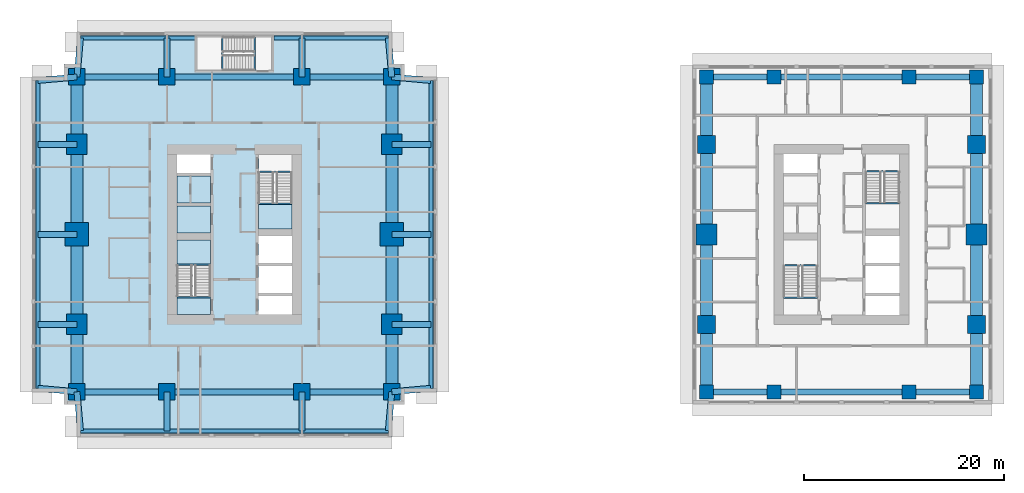
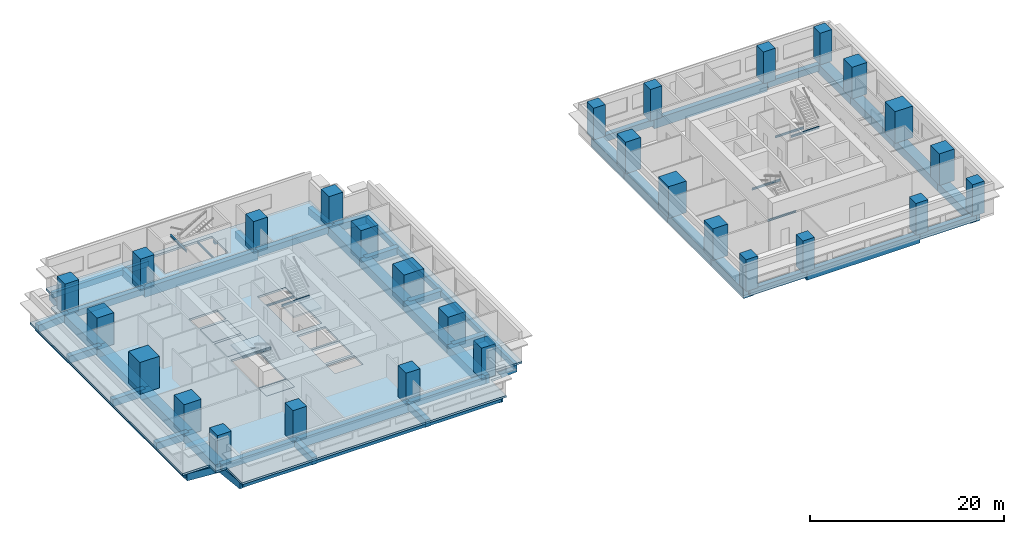
# One storey, part 1 of 11: 61 beams, 28 columns, 6 slabs, 2 elements without a shape of their own.
"""IFC4 building model written with IfcOpenShell, lengths in metres."""

from ifc_helpers import new_model, si_unit, direction, frame, origin, origin_2d, place, context, subcontext, project, spatial, polyline, rectangle, i_section, outline, extrude, material, layer, layer_set, material_profile, profile_set, type_object, element, aggregate, save


model = new_model("IFC4")

# Units and contexts
model_context = context("Model", 3, precision=1e-05, world=origin(), true_north=direction((0.0, 1.0)))
body_context = subcontext(model_context, "Body", "Model", "MODEL_VIEW")
ifc_project = project(units=[si_unit("LENGTHUNIT", "METRE"), si_unit("AREAUNIT", "SQUARE_METRE"), si_unit("VOLUMEUNIT", "CUBIC_METRE"), si_unit("PLANEANGLEUNIT", "RADIAN"), si_unit("MASSUNIT", "GRAM", prefix="KILO")], contexts=[model_context])

# Site, building, storey
site_placement = place(None, origin())
site = spatial("IfcSite", under=ifc_project, at=site_placement, CompositionType="ELEMENT")
building_placement = place(site_placement, origin())
building = spatial("IfcBuilding", under=site, at=building_placement, Name="Namib Vertical Campus", CompositionType="ELEMENT")
storey_placement = place(building_placement, frame((0.0, 0.0, 177.0)))
storey = spatial("IfcBuildingStorey", under=building, at=storey_placement, Name="L41", CompositionType="ELEMENT", Elevation=177.0)

# Columns
ifc_material_1 = material(Name="Concrete C60/75", Category="concrete")
ifc_material_profile_1 = material_profile(ifc_material_1, rectangle(XDim=1.39990234375, YDim=1.39990234375, at=origin_2d()))
ifc_profile_set_1 = profile_set([ifc_material_profile_1], Name="Concrete C60/75")
column_type_1 = type_object("IfcColumnType", Name="Column RC 1400x1400", PredefinedType="COLUMN", material=ifc_profile_set_1)
for number, where, z_axis, x_axis, name in (
    (1, (67.5, 4.5, 0.0), (0.0, 0.0, 1.0), (1.0, 0.0, 0.0), "Column C140 L41"),
    (2, (74.25, 4.5, 0.0), (0.0, 0.0, 1.0), (1.0, 0.0, 0.0), "Column C140 L41"),
    (3, (87.75, 4.5, 0.0), (0.0, 0.0, 1.0), (1.0, 0.0, 0.0), "Column C140 L41"),
    (4, (94.5, 4.5, 0.0), (0.0, 0.0, 1.0), (1.0, 0.0, 0.0), "Column C140 L41"),
    (5, (67.5, 36.0, 0.0), (0.0, 0.0, 1.0), (1.0, 0.0, 0.0), "Column C140 L41"),
    (6, (74.25, 36.0, 0.0), (0.0, 0.0, 1.0), (1.0, 0.0, 0.0), "Column C140 L41"),
    (7, (87.75, 36.0, 0.0), (0.0, 0.0, 1.0), (1.0, 0.0, 0.0), "Column C140 L41"),
    (8, (94.5, 36.0, 0.0), (0.0, 0.0, 1.0), (1.0, 0.0, 0.0), "Column C140 L41"),
):
    element("IfcColumn", number, at=place(storey_placement, frame(where, z_axis=z_axis, x_axis=x_axis)), inside=storey, type_object=column_type_1, Name=name, PredefinedType="COLUMN", context=body_context, shape_type="SweptSolid", body=[
        extrude(rectangle(XDim=1.39990234375, YDim=1.39990234375, at=origin_2d()), origin(), (0.0, 0.0, 1.0), 4.0),
    ])
ifc_material_2 = material(Name="Concrete C60/75", Category="concrete")
ifc_material_profile_2 = material_profile(ifc_material_2, rectangle(XDim=1.64990234375, YDim=1.64990234375, at=origin_2d()))
ifc_profile_set_2 = profile_set([ifc_material_profile_2], Name="Concrete C60/75")
column_type_2 = type_object("IfcColumnType", Name="Column RC 1650x1650", PredefinedType="COLUMN", material=ifc_profile_set_2)
for number, where, z_axis, x_axis, name in (
    (9, (4.5, 4.5, 0.0), (0.0, 0.0, 1.0), (1.0, 0.0, 0.0), "Column C165 L41"),
    (10, (13.5, 4.5, 0.0), (0.0, 0.0, 1.0), (1.0, 0.0, 0.0), "Column C165 L41"),
    (11, (27.0, 4.5, 0.0), (0.0, 0.0, 1.0), (1.0, 0.0, 0.0), "Column C165 L41"),
    (12, (36.0, 4.5, 0.0), (0.0, 0.0, 1.0), (1.0, 0.0, 0.0), "Column C165 L41"),
    (13, (4.5, 36.0, 0.0), (0.0, 0.0, 1.0), (1.0, 0.0, 0.0), "Column C165 L41"),
    (14, (13.5, 36.0, 0.0), (0.0, 0.0, 1.0), (1.0, 0.0, 0.0), "Column C165 L41"),
    (15, (27.0, 36.0, 0.0), (0.0, 0.0, 1.0), (1.0, 0.0, 0.0), "Column C165 L41"),
    (16, (36.0, 36.0, 0.0), (0.0, 0.0, 1.0), (1.0, 0.0, 0.0), "Column C165 L41"),
):
    element("IfcColumn", number, at=place(storey_placement, frame(where, z_axis=z_axis, x_axis=x_axis)), inside=storey, type_object=column_type_2, Name=name, PredefinedType="COLUMN", context=body_context, shape_type="SweptSolid", body=[
        extrude(rectangle(XDim=1.64990234375, YDim=1.64990234375, at=origin_2d()), origin(), (0.0, 0.0, 1.0), 4.0),
    ])
ifc_material_3 = material(Name="Concrete C60/75", Category="concrete")
ifc_material_profile_3 = material_profile(ifc_material_3, rectangle(XDim=1.800048828125, YDim=1.800048828125, at=origin_2d()))
ifc_profile_set_3 = profile_set([ifc_material_profile_3], Name="Concrete C60/75")
column_type_3 = type_object("IfcColumnType", Name="Column RC 1800x1800", PredefinedType="COLUMN", material=ifc_profile_set_3)
for number, where, z_axis, x_axis, name in (
    (17, (67.5, 11.25, 0.0), (0.0, 0.0, 1.0), (1.0, 0.0, 0.0), "Column C180 L41"),
    (18, (94.5, 11.25, 0.0), (0.0, 0.0, 1.0), (1.0, 0.0, 0.0), "Column C180 L41"),
    (19, (67.5, 29.25, 0.0), (0.0, 0.0, 1.0), (1.0, 0.0, 0.0), "Column C180 L41"),
    (20, (94.5, 29.25, 0.0), (0.0, 0.0, 1.0), (1.0, 0.0, 0.0), "Column C180 L41"),
):
    element("IfcColumn", number, at=place(storey_placement, frame(where, z_axis=z_axis, x_axis=x_axis)), inside=storey, type_object=column_type_3, Name=name, PredefinedType="COLUMN", context=body_context, shape_type="SweptSolid", body=[
        extrude(rectangle(XDim=1.800048828125, YDim=1.800048828125, at=origin_2d()), origin(), (0.0, 0.0, 1.0), 4.0),
    ])
ifc_material_4 = material(Name="Concrete C60/75", Category="concrete")
ifc_material_profile_4 = material_profile(ifc_material_4, rectangle(XDim=2.050048828125, YDim=2.050048828125, at=origin_2d()))
ifc_profile_set_4 = profile_set([ifc_material_profile_4], Name="Concrete C60/75")
column_type_4 = type_object("IfcColumnType", Name="Column RC 2050x2050", PredefinedType="COLUMN", material=ifc_profile_set_4)
for number, where, z_axis, x_axis, name in (
    (21, (4.5, 11.25, 0.0), (0.0, 0.0, 1.0), (1.0, 0.0, 0.0), "Column C205 L41"),
    (22, (36.0, 11.25, 0.0), (0.0, 0.0, 1.0), (1.0, 0.0, 0.0), "Column C205 L41"),
    (23, (4.5, 29.25, 0.0), (0.0, 0.0, 1.0), (1.0, 0.0, 0.0), "Column C205 L41"),
    (24, (36.0, 29.25, 0.0), (0.0, 0.0, 1.0), (1.0, 0.0, 0.0), "Column C205 L41"),
):
    element("IfcColumn", number, at=place(storey_placement, frame(where, z_axis=z_axis, x_axis=x_axis)), inside=storey, type_object=column_type_4, Name=name, PredefinedType="COLUMN", context=body_context, shape_type="SweptSolid", body=[
        extrude(rectangle(XDim=2.050048828125, YDim=2.050048828125, at=origin_2d()), origin(), (0.0, 0.0, 1.0), 4.0),
    ])
ifc_material_5 = material(Name="Concrete C60/75", Category="concrete")
ifc_material_profile_5 = material_profile(ifc_material_5, rectangle(XDim=2.10009765625, YDim=2.10009765625, at=origin_2d()))
ifc_profile_set_5 = profile_set([ifc_material_profile_5], Name="Concrete C60/75")
column_type_5 = type_object("IfcColumnType", Name="Column RC 2100x2100", PredefinedType="COLUMN", material=ifc_profile_set_5)
for number, where, z_axis, x_axis, name in (
    (25, (67.5, 20.25, 0.0), (0.0, 0.0, 1.0), (1.0, 0.0, 0.0), "Column C210 L41"),
    (26, (94.5, 20.25, 0.0), (0.0, 0.0, 1.0), (1.0, 0.0, 0.0), "Column C210 L41"),
):
    element("IfcColumn", number, at=place(storey_placement, frame(where, z_axis=z_axis, x_axis=x_axis)), inside=storey, type_object=column_type_5, Name=name, PredefinedType="COLUMN", context=body_context, shape_type="SweptSolid", body=[
        extrude(rectangle(XDim=2.10009765625, YDim=2.10009765625, at=origin_2d()), origin(), (0.0, 0.0, 1.0), 4.0),
    ])
ifc_material_6 = material(Name="Concrete C60/75", Category="concrete")
ifc_material_profile_6 = material_profile(ifc_material_6, rectangle(XDim=2.35009765625, YDim=2.35009765625, at=origin_2d()))
ifc_profile_set_6 = profile_set([ifc_material_profile_6], Name="Concrete C60/75")
column_type_6 = type_object("IfcColumnType", Name="Column RC 2350x2350", PredefinedType="COLUMN", material=ifc_profile_set_6)
for number, where, z_axis, x_axis, name in (
    (27, (4.5, 20.25, 0.0), (0.0, 0.0, 1.0), (1.0, 0.0, 0.0), "Column C235 L41"),
    (28, (36.0, 20.25, 0.0), (0.0, 0.0, 1.0), (1.0, 0.0, 0.0), "Column C235 L41"),
):
    element("IfcColumn", number, at=place(storey_placement, frame(where, z_axis=z_axis, x_axis=x_axis)), inside=storey, type_object=column_type_6, Name=name, PredefinedType="COLUMN", context=body_context, shape_type="SweptSolid", body=[
        extrude(rectangle(XDim=2.35009765625, YDim=2.35009765625, at=origin_2d()), origin(), (0.0, 0.0, 1.0), 4.0),
    ])

# Beams
ifc_material_7 = material(Name="Concrete C40/50", Category="concrete")
ifc_material_profile_7 = material_profile(ifc_material_7, rectangle(XDim=0.60009765625, YDim=0.89990234375, at=origin_2d()))
ifc_profile_set_7 = profile_set([ifc_material_profile_7], Name="Concrete C40/50")
beam_type_1 = type_object("IfcBeamType", Name="Cantilever girder RC 600x900", PredefinedType="BEAM", material=ifc_profile_set_7)
beam_1_placement = place(storey_placement, frame((4.5, 4.5, -0.699951171875), z_axis=(0.089411326146, -0.995994786511, 0.0), x_axis=(0.995994786511, 0.089411326146, 0.0)))
element("IfcBeam", 29, at=beam_1_placement, inside=storey, type_object=beam_type_1, Name="Beam B3 L41", PredefinedType="BEAM", context=body_context, shape_type="SweptSolid", body=[
    extrude(rectangle(XDim=0.60009765625, YDim=0.89990234375, at=origin_2d()), origin(), (0.0, 0.0, 1.0), 3.91552734375),
])
for number, where, z_axis, x_axis, name in (
    (30, (13.5, 4.5, -0.699951171875), (0.0, -1.0, 0.0), (1.0, 0.0, 0.0), "Beam B3 L41"),
    (31, (27.0, 4.5, -0.699951171875), (0.0, -1.0, 0.0), (1.0, 0.0, 0.0), "Beam B3 L41"),
):
    element("IfcBeam", number, at=place(storey_placement, frame(where, z_axis=z_axis, x_axis=x_axis)), inside=storey, type_object=beam_type_1, Name=name, PredefinedType="BEAM", context=body_context, shape_type="SweptSolid", body=[
        extrude(rectangle(XDim=0.60009765625, YDim=0.89990234375, at=origin_2d()), origin(), (0.0, 0.0, 1.0), 3.89990234375),
    ])
for number, where, z_axis, x_axis, name in (
    (32, (36.0, 4.5, -0.699951171875), (-0.089411326146, -0.995994786511, 0.0), (0.995994786511, -0.089411326146, 0.0), "Beam B3 L41"),
    (33, (4.5, 36.0, -0.699951171875), (0.089411326146, 0.995994786511, 0.0), (-0.995994786511, 0.089411326146, 0.0), "Beam B3 L41"),
):
    element("IfcBeam", number, at=place(storey_placement, frame(where, z_axis=z_axis, x_axis=x_axis)), inside=storey, type_object=beam_type_1, Name=name, PredefinedType="BEAM", context=body_context, shape_type="SweptSolid", body=[
        extrude(rectangle(XDim=0.60009765625, YDim=0.89990234375, at=origin_2d()), origin(), (0.0, 0.0, 1.0), 3.91552734375),
    ])
for number, where, z_axis, x_axis, name in (
    (34, (13.5, 36.0, -0.699951171875), (0.0, 1.0, 0.0), (-1.0, 0.0, 0.0), "Beam B3 L41"),
    (35, (27.0, 36.0, -0.699951171875), (0.0, 1.0, 0.0), (-1.0, 0.0, 0.0), "Beam B3 L41"),
):
    element("IfcBeam", number, at=place(storey_placement, frame(where, z_axis=z_axis, x_axis=x_axis)), inside=storey, type_object=beam_type_1, Name=name, PredefinedType="BEAM", context=body_context, shape_type="SweptSolid", body=[
        extrude(rectangle(XDim=0.60009765625, YDim=0.89990234375, at=origin_2d()), origin(), (0.0, 0.0, 1.0), 3.89990234375),
    ])
for number, where, z_axis, x_axis, name in (
    (36, (36.0, 36.0, -0.699951171875), (-0.089411326146, 0.995994786511, 0.0), (-0.995994786511, -0.089411326146, 0.0), "Beam B3 L41"),
    (37, (4.5, 4.5, -0.699951171875), (-0.995994786511, 0.089411326146, 0.0), (-0.089411326146, -0.995994786511, 0.0), "Beam B3 L41"),
):
    element("IfcBeam", number, at=place(storey_placement, frame(where, z_axis=z_axis, x_axis=x_axis)), inside=storey, type_object=beam_type_1, Name=name, PredefinedType="BEAM", context=body_context, shape_type="SweptSolid", body=[
        extrude(rectangle(XDim=0.60009765625, YDim=0.89990234375, at=origin_2d()), origin(), (0.0, 0.0, 1.0), 3.91552734375),
    ])
for number, where, z_axis, x_axis, name in (
    (38, (4.5, 11.25, -0.699951171875), (-1.0, 0.0, 0.0), (0.0, -1.0, 0.0), "Beam B3 L41"),
    (39, (4.5, 20.25, -0.699951171875), (-1.0, 0.0, 0.0), (0.0, -1.0, 0.0), "Beam B3 L41"),
    (40, (4.5, 29.25, -0.699951171875), (-1.0, 0.0, 0.0), (0.0, -1.0, 0.0), "Beam B3 L41"),
):
    element("IfcBeam", number, at=place(storey_placement, frame(where, z_axis=z_axis, x_axis=x_axis)), inside=storey, type_object=beam_type_1, Name=name, PredefinedType="BEAM", context=body_context, shape_type="SweptSolid", body=[
        extrude(rectangle(XDim=0.60009765625, YDim=0.89990234375, at=origin_2d()), origin(), (0.0, 0.0, 1.0), 3.89990234375),
    ])
for number, where, z_axis, x_axis, name in (
    (41, (4.5, 36.0, -0.699951171875), (-0.995994786511, -0.089411326146, 0.0), (0.089411326146, -0.995994786511, 0.0), "Beam B3 L41"),
    (42, (36.0, 4.5, -0.699951171875), (0.995994786511, 0.089411326146, 0.0), (-0.089411326146, 0.995994786511, 0.0), "Beam B3 L41"),
):
    element("IfcBeam", number, at=place(storey_placement, frame(where, z_axis=z_axis, x_axis=x_axis)), inside=storey, type_object=beam_type_1, Name=name, PredefinedType="BEAM", context=body_context, shape_type="SweptSolid", body=[
        extrude(rectangle(XDim=0.60009765625, YDim=0.89990234375, at=origin_2d()), origin(), (0.0, 0.0, 1.0), 3.91552734375),
    ])
for number, where, z_axis, x_axis, name in (
    (43, (36.0, 11.25, -0.699951171875), (1.0, 0.0, 0.0), (0.0, 1.0, 0.0), "Beam B3 L41"),
    (44, (36.0, 20.25, -0.699951171875), (1.0, 0.0, 0.0), (0.0, 1.0, 0.0), "Beam B3 L41"),
    (45, (36.0, 29.25, -0.699951171875), (1.0, 0.0, 0.0), (0.0, 1.0, 0.0), "Beam B3 L41"),
):
    element("IfcBeam", number, at=place(storey_placement, frame(where, z_axis=z_axis, x_axis=x_axis)), inside=storey, type_object=beam_type_1, Name=name, PredefinedType="BEAM", context=body_context, shape_type="SweptSolid", body=[
        extrude(rectangle(XDim=0.60009765625, YDim=0.89990234375, at=origin_2d()), origin(), (0.0, 0.0, 1.0), 3.89990234375),
    ])
beam_2_placement = place(storey_placement, frame((36.0, 36.0, -0.699951171875), z_axis=(0.995994786511, -0.089411326146, 0.0), x_axis=(0.089411326146, 0.995994786511, 0.0)))
element("IfcBeam", 46, at=beam_2_placement, inside=storey, type_object=beam_type_1, Name="Beam B3 L41", PredefinedType="BEAM", context=body_context, shape_type="SweptSolid", body=[
    extrude(rectangle(XDim=0.60009765625, YDim=0.89990234375, at=origin_2d()), origin(), (0.0, 0.0, 1.0), 3.91552734375),
])
ifc_material_8 = material(Name="Concrete C40/50", Category="concrete")
ifc_material_profile_8 = material_profile(ifc_material_8, rectangle(XDim=0.39990234375, YDim=0.699951171875, at=origin_2d()))
ifc_profile_set_8 = profile_set([ifc_material_profile_8], Name="Concrete C40/50")
beam_type_2 = type_object("IfcBeamType", Name="Edge beam RC 400x700", PredefinedType="SPANDREL", material=ifc_profile_set_8)
beam_3_placement = place(storey_placement, frame((4.85009765625, 0.60009765625, -0.60009765625), z_axis=(1.0, 0.0, 0.0), x_axis=(0.0, 1.0, 0.0)))
element("IfcBeam", 47, at=beam_3_placement, inside=storey, type_object=beam_type_2, Name="Beam B4 L41", PredefinedType="SPANDREL", context=body_context, shape_type="SweptSolid", body=[
    extrude(rectangle(XDim=0.39990234375, YDim=0.699951171875, at=origin_2d()), origin(), (0.0, 0.0, 1.0), 30.7998046875),
])
for number, where, z_axis, x_axis, name in (
    (48, (4.85009765625, 39.89990234375, -0.60009765625), (1.0, 0.0, 0.0), (0.0, 1.0, 0.0), "Beam B4 L41"),
    (49, (24.199951171875, 39.89990234375, -0.60009765625), (1.0, 0.0, 0.0), (0.0, 1.0, 0.0), "Beam B4 L41"),
):
    element("IfcBeam", number, at=place(storey_placement, frame(where, z_axis=z_axis, x_axis=x_axis)), inside=storey, type_object=beam_type_2, Name=name, PredefinedType="SPANDREL", context=body_context, shape_type="SweptSolid", body=[
        extrude(rectangle(XDim=0.39990234375, YDim=0.699951171875, at=origin_2d()), origin(), (0.0, 0.0, 1.0), 11.449951171875),
    ])
for number, where, z_axis, x_axis, name in (
    (50, (0.60009765625, 4.85009765625, -0.60009765625), (0.0, 1.0, 0.0), (-1.0, 0.0, 0.0), "Beam B4 L41"),
    (51, (39.89990234375, 4.85009765625, -0.60009765625), (0.0, 1.0, 0.0), (-1.0, 0.0, 0.0), "Beam B4 L41"),
):
    element("IfcBeam", number, at=place(storey_placement, frame(where, z_axis=z_axis, x_axis=x_axis)), inside=storey, type_object=beam_type_2, Name=name, PredefinedType="SPANDREL", context=body_context, shape_type="SweptSolid", body=[
        extrude(rectangle(XDim=0.39990234375, YDim=0.699951171875, at=origin_2d()), origin(), (0.0, 0.0, 1.0), 30.7998046875),
    ])
ifc_material_9 = material(Name="Concrete C40/50", Category="concrete")
ifc_material_profile_9 = material_profile(ifc_material_9, rectangle(XDim=1.199951171875, YDim=1.10009765625, at=origin_2d()))
ifc_profile_set_9 = profile_set([ifc_material_profile_9], Name="Concrete C40/50")
beam_type_3 = type_object("IfcBeamType", Name="Face ring beam RC 1200x1100", PredefinedType="BEAM", material=ifc_profile_set_9)
beam_4_placement = place(storey_placement, frame((4.5, 4.5, -0.800048828125), z_axis=(0.0, 1.0, 0.0), x_axis=(-1.0, 0.0, 0.0)))
element("IfcBeam", 52, at=beam_4_placement, inside=storey, type_object=beam_type_3, Name="Beam B11 L41", PredefinedType="BEAM", context=body_context, shape_type="SweptSolid", body=[
    extrude(rectangle(XDim=1.199951171875, YDim=1.10009765625, at=origin_2d()), origin(), (0.0, 0.0, 1.0), 6.75),
])
for number, where, z_axis, x_axis, name in (
    (53, (4.5, 11.25, -0.800048828125), (0.0, 1.0, 0.0), (-1.0, 0.0, 0.0), "Beam B11 L41"),
    (54, (4.5, 20.25, -0.800048828125), (0.0, 1.0, 0.0), (-1.0, 0.0, 0.0), "Beam B11 L41"),
):
    element("IfcBeam", number, at=place(storey_placement, frame(where, z_axis=z_axis, x_axis=x_axis)), inside=storey, type_object=beam_type_3, Name=name, PredefinedType="BEAM", context=body_context, shape_type="SweptSolid", body=[
        extrude(rectangle(XDim=1.199951171875, YDim=1.10009765625, at=origin_2d()), origin(), (0.0, 0.0, 1.0), 9.0),
    ])
for number, where, z_axis, x_axis, name in (
    (55, (4.5, 29.25, -0.800048828125), (0.0, 1.0, 0.0), (-1.0, 0.0, 0.0), "Beam B11 L41"),
    (56, (36.0, 4.5, -0.800048828125), (0.0, 1.0, 0.0), (-1.0, 0.0, 0.0), "Beam B11 L41"),
):
    element("IfcBeam", number, at=place(storey_placement, frame(where, z_axis=z_axis, x_axis=x_axis)), inside=storey, type_object=beam_type_3, Name=name, PredefinedType="BEAM", context=body_context, shape_type="SweptSolid", body=[
        extrude(rectangle(XDim=1.199951171875, YDim=1.10009765625, at=origin_2d()), origin(), (0.0, 0.0, 1.0), 6.75),
    ])
for number, where, z_axis, x_axis, name in (
    (57, (36.0, 11.25, -0.800048828125), (0.0, 1.0, 0.0), (-1.0, 0.0, 0.0), "Beam B11 L41"),
    (58, (36.0, 20.25, -0.800048828125), (0.0, 1.0, 0.0), (-1.0, 0.0, 0.0), "Beam B11 L41"),
):
    element("IfcBeam", number, at=place(storey_placement, frame(where, z_axis=z_axis, x_axis=x_axis)), inside=storey, type_object=beam_type_3, Name=name, PredefinedType="BEAM", context=body_context, shape_type="SweptSolid", body=[
        extrude(rectangle(XDim=1.199951171875, YDim=1.10009765625, at=origin_2d()), origin(), (0.0, 0.0, 1.0), 9.0),
    ])
for number, where, z_axis, x_axis, name in (
    (59, (36.0, 29.25, -0.800048828125), (0.0, 1.0, 0.0), (-1.0, 0.0, 0.0), "Beam B11 L41"),
    (60, (67.5, 4.5, -0.800048828125), (0.0, 1.0, 0.0), (-1.0, 0.0, 0.0), "Beam B11 L41"),
):
    element("IfcBeam", number, at=place(storey_placement, frame(where, z_axis=z_axis, x_axis=x_axis)), inside=storey, type_object=beam_type_3, Name=name, PredefinedType="BEAM", context=body_context, shape_type="SweptSolid", body=[
        extrude(rectangle(XDim=1.199951171875, YDim=1.10009765625, at=origin_2d()), origin(), (0.0, 0.0, 1.0), 6.75),
    ])
for number, where, z_axis, x_axis, name in (
    (61, (67.5, 11.25, -0.800048828125), (0.0, 1.0, 0.0), (-1.0, 0.0, 0.0), "Beam B11 L41"),
    (62, (67.5, 20.25, -0.800048828125), (0.0, 1.0, 0.0), (-1.0, 0.0, 0.0), "Beam B11 L41"),
):
    element("IfcBeam", number, at=place(storey_placement, frame(where, z_axis=z_axis, x_axis=x_axis)), inside=storey, type_object=beam_type_3, Name=name, PredefinedType="BEAM", context=body_context, shape_type="SweptSolid", body=[
        extrude(rectangle(XDim=1.199951171875, YDim=1.10009765625, at=origin_2d()), origin(), (0.0, 0.0, 1.0), 9.0),
    ])
for number, where, z_axis, x_axis, name in (
    (63, (67.5, 29.25, -0.800048828125), (0.0, 1.0, 0.0), (-1.0, 0.0, 0.0), "Beam B11 L41"),
    (64, (94.5, 4.5, -0.800048828125), (0.0, 1.0, 0.0), (-1.0, 0.0, 0.0), "Beam B11 L41"),
):
    element("IfcBeam", number, at=place(storey_placement, frame(where, z_axis=z_axis, x_axis=x_axis)), inside=storey, type_object=beam_type_3, Name=name, PredefinedType="BEAM", context=body_context, shape_type="SweptSolid", body=[
        extrude(rectangle(XDim=1.199951171875, YDim=1.10009765625, at=origin_2d()), origin(), (0.0, 0.0, 1.0), 6.75),
    ])
for number, where, z_axis, x_axis, name in (
    (65, (94.5, 11.25, -0.800048828125), (0.0, 1.0, 0.0), (-1.0, 0.0, 0.0), "Beam B11 L41"),
    (66, (94.5, 20.25, -0.800048828125), (0.0, 1.0, 0.0), (-1.0, 0.0, 0.0), "Beam B11 L41"),
):
    element("IfcBeam", number, at=place(storey_placement, frame(where, z_axis=z_axis, x_axis=x_axis)), inside=storey, type_object=beam_type_3, Name=name, PredefinedType="BEAM", context=body_context, shape_type="SweptSolid", body=[
        extrude(rectangle(XDim=1.199951171875, YDim=1.10009765625, at=origin_2d()), origin(), (0.0, 0.0, 1.0), 9.0),
    ])
beam_5_placement = place(storey_placement, frame((94.5, 29.25, -0.800048828125), z_axis=(0.0, 1.0, 0.0), x_axis=(-1.0, 0.0, 0.0)))
element("IfcBeam", 67, at=beam_5_placement, inside=storey, type_object=beam_type_3, Name="Beam B11 L41", PredefinedType="BEAM", context=body_context, shape_type="SweptSolid", body=[
    extrude(rectangle(XDim=1.199951171875, YDim=1.10009765625, at=origin_2d()), origin(), (0.0, 0.0, 1.0), 6.75),
])
ifc_material_10 = material(Name="Steel S355JR", Category="steel")
ifc_material_profile_10 = material_profile(ifc_material_10, i_section(OverallWidth=0.14599609375, OverallDepth=0.25146484375, WebThickness=0.006103515625, FlangeThickness=0.008544921875, FilletRadius=0.007568359375, at=origin_2d()))
ifc_profile_set_10 = profile_set([ifc_material_profile_10], Name="Steel S355JR")
beam_type_4 = type_object("IfcBeamType", Name="Landing trimmer UB 254x146x31", PredefinedType="BEAM", material=ifc_profile_set_10)
for number, where, z_axis, x_axis, name in (
    (68, (14.5, 13.97705078125, -0.125732421875), (1.0, 0.0, 0.0), (0.0, 1.0, 0.0), "Landing trimmer LT1 A-S1 L41 1"),
    (69, (14.5, 17.203125, 1.874267578125), (1.0, 0.0, 0.0), (0.0, 1.0, 0.0), "Landing trimmer LT1 A-S1 L41 2"),
    (70, (22.64990234375, 26.52294921875, -0.125732421875), (1.0, 0.0, 0.0), (0.0, 1.0, 0.0), "Landing trimmer LT1 A-S2 L41 1"),
    (71, (22.64990234375, 23.296875, 1.874267578125), (1.0, 0.0, 0.0), (0.0, 1.0, 0.0), "Landing trimmer LT1 A-S2 L41 2"),
):
    element("IfcBeam", number, at=place(storey_placement, frame(where, z_axis=z_axis, x_axis=x_axis)), inside=storey, type_object=beam_type_4, Name=name, PredefinedType="BEAM", context=body_context, shape_type="SweptSolid", body=[
        extrude(i_section(OverallWidth=0.14599609375, OverallDepth=0.25146484375, WebThickness=0.006103515625, FlangeThickness=0.008544921875, FilletRadius=0.007568359375, at=origin_2d()), origin(), (0.0, 0.0, 1.0), 3.35009765625),
    ])
for number, where, z_axis, x_axis, name in (
    (72, (75.199951171875, 13.927001953125, -0.125732421875), (1.0, 0.0, 0.0), (0.0, 1.0, 0.0), "Landing trimmer LT1 B-S1 L41 1"),
    (73, (75.199951171875, 17.153076171875, 1.874267578125), (1.0, 0.0, 0.0), (0.0, 1.0, 0.0), "Landing trimmer LT1 B-S1 L41 2"),
    (74, (83.39990234375, 26.572998046875, -0.125732421875), (1.0, 0.0, 0.0), (0.0, 1.0, 0.0), "Landing trimmer LT1 B-S2 L41 1"),
    (75, (83.39990234375, 23.346923828125, 1.874267578125), (1.0, 0.0, 0.0), (0.0, 1.0, 0.0), "Landing trimmer LT1 B-S2 L41 2"),
):
    element("IfcBeam", number, at=place(storey_placement, frame(where, z_axis=z_axis, x_axis=x_axis)), inside=storey, type_object=beam_type_4, Name=name, PredefinedType="BEAM", context=body_context, shape_type="SweptSolid", body=[
        extrude(i_section(OverallWidth=0.14599609375, OverallDepth=0.25146484375, WebThickness=0.006103515625, FlangeThickness=0.008544921875, FilletRadius=0.007568359375, at=origin_2d()), origin(), (0.0, 0.0, 1.0), 3.400146484375),
    ])
for number, where, z_axis, x_axis, name in (
    (76, (22.27294921875, 36.64990234375, -0.125732421875), (0.0, 1.0, 0.0), (-1.0, 0.0, 0.0), "Landing trimmer LT1 A-S3 L41 1"),
    (77, (19.046875, 36.64990234375, 1.874267578125), (0.0, 1.0, 0.0), (-1.0, 0.0, 0.0), "Landing trimmer LT1 A-S3 L41 2"),
):
    element("IfcBeam", number, at=place(storey_placement, frame(where, z_axis=z_axis, x_axis=x_axis)), inside=storey, type_object=beam_type_4, Name=name, PredefinedType="BEAM", context=body_context, shape_type="SweptSolid", body=[
        extrude(i_section(OverallWidth=0.14599609375, OverallDepth=0.25146484375, WebThickness=0.006103515625, FlangeThickness=0.008544921875, FilletRadius=0.007568359375, at=origin_2d()), origin(), (0.0, 0.0, 1.0), 3.35009765625),
    ])
ifc_material_11 = material(Name="Concrete C40/50", Category="concrete")
ifc_material_profile_11 = material_profile(ifc_material_11, rectangle(XDim=0.60009765625, YDim=1.199951171875, at=origin_2d()))
ifc_profile_set_11 = profile_set([ifc_material_profile_11], Name="Concrete C40/50")
beam_type_5 = type_object("IfcBeamType", Name="Long-span ring beam RC 600x1200", PredefinedType="BEAM", material=ifc_profile_set_11)
for number, where, z_axis, x_axis, name in (
    (78, (13.5, 4.5, -0.85009765625), (1.0, 0.0, 0.0), (0.0, 1.0, 0.0), "Beam B9 L41"),
    (79, (13.5, 36.0, -0.85009765625), (1.0, 0.0, 0.0), (0.0, 1.0, 0.0), "Beam B9 L41"),
    (80, (74.25, 4.5, -0.85009765625), (1.0, 0.0, 0.0), (0.0, 1.0, 0.0), "Beam B9 L41"),
    (81, (74.25, 36.0, -0.85009765625), (1.0, 0.0, 0.0), (0.0, 1.0, 0.0), "Beam B9 L41"),
):
    element("IfcBeam", number, at=place(storey_placement, frame(where, z_axis=z_axis, x_axis=x_axis)), inside=storey, type_object=beam_type_5, Name=name, PredefinedType="BEAM", context=body_context, shape_type="SweptSolid", body=[
        extrude(rectangle(XDim=0.60009765625, YDim=1.199951171875, at=origin_2d()), origin(), (0.0, 0.0, 1.0), 13.5),
    ])
ifc_material_12 = material(Name="Concrete C40/50", Category="concrete")
ifc_material_profile_12 = material_profile(ifc_material_12, rectangle(XDim=0.60009765625, YDim=0.800048828125, at=origin_2d()))
ifc_profile_set_12 = profile_set([ifc_material_profile_12], Name="Concrete C40/50")
beam_type_6 = type_object("IfcBeamType", Name="Ring beam RC 600x800", PredefinedType="BEAM", material=ifc_profile_set_12)
for number, where, z_axis, x_axis, name in (
    (82, (4.5, 4.5, -0.64990234375), (1.0, 0.0, 0.0), (0.0, 1.0, 0.0), "Beam B1 L41"),
    (83, (27.0, 4.5, -0.64990234375), (1.0, 0.0, 0.0), (0.0, 1.0, 0.0), "Beam B1 L41"),
    (84, (4.5, 36.0, -0.64990234375), (1.0, 0.0, 0.0), (0.0, 1.0, 0.0), "Beam B1 L41"),
    (85, (27.0, 36.0, -0.64990234375), (1.0, 0.0, 0.0), (0.0, 1.0, 0.0), "Beam B1 L41"),
):
    element("IfcBeam", number, at=place(storey_placement, frame(where, z_axis=z_axis, x_axis=x_axis)), inside=storey, type_object=beam_type_6, Name=name, PredefinedType="BEAM", context=body_context, shape_type="SweptSolid", body=[
        extrude(rectangle(XDim=0.60009765625, YDim=0.800048828125, at=origin_2d()), origin(), (0.0, 0.0, 1.0), 9.0),
    ])
for number, where, z_axis, x_axis, name in (
    (86, (67.5, 4.5, -0.64990234375), (1.0, 0.0, 0.0), (0.0, 1.0, 0.0), "Beam B1 L41"),
    (87, (87.75, 4.5, -0.64990234375), (1.0, 0.0, 0.0), (0.0, 1.0, 0.0), "Beam B1 L41"),
    (88, (67.5, 36.0, -0.64990234375), (1.0, 0.0, 0.0), (0.0, 1.0, 0.0), "Beam B1 L41"),
    (89, (87.75, 36.0, -0.64990234375), (1.0, 0.0, 0.0), (0.0, 1.0, 0.0), "Beam B1 L41"),
):
    element("IfcBeam", number, at=place(storey_placement, frame(where, z_axis=z_axis, x_axis=x_axis)), inside=storey, type_object=beam_type_6, Name=name, PredefinedType="BEAM", context=body_context, shape_type="SweptSolid", body=[
        extrude(rectangle(XDim=0.60009765625, YDim=0.800048828125, at=origin_2d()), origin(), (0.0, 0.0, 1.0), 6.75),
    ])

# Slabs
ifc_material_13 = material(Name="Concrete C40/50", Category="concrete")
ifc_layer_1 = layer(ifc_material_13, 0.25)
ifc_layer_set_1 = layer_set([ifc_layer_1], Name="Concrete C40/50")
slab_type_1 = type_object("IfcSlabType", Name="Floor slab 250", PredefinedType="FLOOR", material=ifc_layer_set_1)
slab_1_placement = place(storey_placement, frame((0.0, 0.0, -0.25)))
element("IfcSlab", 90, at=slab_1_placement, inside=storey, type_object=slab_type_1, Name="Floor slab A L41", PredefinedType="FLOOR", context=body_context, shape_type="SweptSolid", body=[
    extrude(outline(polyline([(4.5, 0.0), (36.0, 0.0), (36.0, 3.22509765625), (37.27490234375, 3.22509765625), (37.27490234375, 4.5), (40.5, 4.5), (40.5, 36.0), (37.27490234375, 36.0), (37.27490234375, 37.27490234375), (36.0, 37.27490234375), (36.0, 40.5), (4.5, 40.5), (4.5, 37.27490234375), (3.22509765625, 37.27490234375), (3.22509765625, 36.0), (0.0, 36.0), (0.0, 4.5), (3.22509765625, 4.5), (3.22509765625, 3.22509765625), (4.5, 3.22509765625), (4.5, 0.0)]), holes=[polyline([(14.5, 12.25), (17.85009765625, 12.25), (17.85009765625, 19.699951171875), (14.5, 19.699951171875), (14.5, 12.25)]), polyline([(22.64990234375, 20.800048828125), (26.0, 20.800048828125), (26.0, 28.25), (22.64990234375, 28.25), (22.64990234375, 20.800048828125)]), polyline([(22.64990234375, 12.25), (26.0, 12.25), (26.0, 14.10009765625), (22.64990234375, 14.10009765625), (22.64990234375, 12.25)]), polyline([(14.5, 20.39990234375), (17.85009765625, 20.39990234375), (17.85009765625, 23.10009765625), (14.5, 23.10009765625), (14.5, 20.39990234375)]), polyline([(14.5, 23.39990234375), (17.85009765625, 23.39990234375), (17.85009765625, 26.10009765625), (14.5, 26.10009765625), (14.5, 23.39990234375)]), polyline([(14.5, 26.39990234375), (17.85009765625, 26.39990234375), (17.85009765625, 28.25), (14.5, 28.25), (14.5, 26.39990234375)]), polyline([(22.64990234375, 14.39990234375), (26.0, 14.39990234375), (26.0, 17.10009765625), (22.64990234375, 17.10009765625), (22.64990234375, 14.39990234375)]), polyline([(22.64990234375, 17.39990234375), (26.0, 17.39990234375), (26.0, 20.10009765625), (22.64990234375, 20.10009765625), (22.64990234375, 17.39990234375)]), polyline([(16.5, 36.64990234375), (24.0, 36.64990234375), (24.0, 40.0), (16.5, 40.0), (16.5, 36.64990234375)])]), origin(), (0.0, 0.0, 1.0), 0.25),
])
ifc_material_14 = material(Name="Concrete C40/50 precast", Category="concrete")
ifc_layer_2 = layer(ifc_material_14, 0.25)
ifc_layer_set_2 = layer_set([ifc_layer_2], Name="Concrete C40/50 precast")
slab_type_2 = type_object("IfcSlabType", Name="Shaft infill floor 250", PredefinedType="FLOOR", material=ifc_layer_set_2)
slab_2_placement = place(storey_placement, frame((0.0, 0.0, -0.25)))
element("IfcSlab", 91, at=slab_2_placement, inside=storey, type_object=slab_type_2, Name="Shaft infill floor A L41 P1", PredefinedType="FLOOR", context=body_context, shape_type="SweptSolid", body=[
    extrude(outline(polyline([(14.5, 20.39990234375), (17.85009765625, 20.39990234375), (17.85009765625, 23.10009765625), (14.5, 23.10009765625), (14.5, 20.39990234375)])), origin(), (0.0, 0.0, 1.0), 0.25),
])
slab_3_placement = place(storey_placement, frame((0.0, 0.0, -0.25)))
element("IfcSlab", 92, at=slab_3_placement, inside=storey, type_object=slab_type_2, Name="Shaft infill floor A L41 P2", PredefinedType="FLOOR", context=body_context, shape_type="SweptSolid", body=[
    extrude(outline(polyline([(14.5, 23.39990234375), (17.85009765625, 23.39990234375), (17.85009765625, 26.10009765625), (14.5, 26.10009765625), (14.5, 23.39990234375)])), origin(), (0.0, 0.0, 1.0), 0.25),
])

# Stair, slabs
ifc_material_15 = material(Name="Concrete C40/50 precast", Category="concrete")
stair_type = type_object("IfcStairType", Name="Exit stair 4000 rise 24 risers 3350 wide", PredefinedType="HALF_TURN_STAIR", material=ifc_material_15)
stair_1_placement = place(storey_placement, origin())
stair_1 = element("IfcStair", 93, at=stair_1_placement, inside=storey, type_object=stair_type, Name="Exit stair A-S1 L41", PredefinedType="HALF_TURN_STAIR")
ifc_material_16 = material(Name="Concrete C40/50", Category="concrete")
ifc_layer_3 = layer(ifc_material_16, 0.199951171875)
ifc_layer_set_3 = layer_set([ifc_layer_3], Name="Concrete C40/50")
slab_type_3 = type_object("IfcSlabType", Name="Stair landing 200", PredefinedType="LANDING", material=ifc_layer_set_3)
slab_4_placement = place(storey_placement, frame((0.0, 0.0, -0.199951171875)))
slab_4 = element("IfcSlab", 94, at=slab_4_placement, type_object=slab_type_3, Name="A-S1 landing 1", PredefinedType="LANDING", context=body_context, shape_type="SweptSolid", body=[
    extrude(outline(polyline([(14.5, 12.25), (17.85009765625, 12.25), (17.85009765625, 13.90380859375), (14.5, 13.90380859375), (14.5, 12.25)])), origin(), (0.0, 0.0, 1.0), 0.199951171875),
])
slab_5_placement = place(storey_placement, frame((0.0, 0.0, 1.800048828125)))
slab_5 = element("IfcSlab", 95, at=slab_5_placement, type_object=slab_type_3, Name="A-S1 landing 2", PredefinedType="LANDING", context=body_context, shape_type="SweptSolid", body=[
    extrude(outline(polyline([(14.5, 17.276123046875), (17.85009765625, 17.276123046875), (17.85009765625, 19.699951171875), (14.5, 19.699951171875), (14.5, 17.276123046875)])), origin(), (0.0, 0.0, 1.0), 0.199951171875),
])
aggregate(stair_1, [slab_4, slab_5])

# Stair, slab
stair_2_placement = place(storey_placement, origin())
stair_2 = element("IfcStair", 96, at=stair_2_placement, inside=storey, type_object=stair_type, Name="Exit stair A-S2 L41", PredefinedType="HALF_TURN_STAIR")
slab_6_placement = place(storey_placement, frame((0.0, 0.0, 1.800048828125)))
slab_6 = element("IfcSlab", 97, at=slab_6_placement, type_object=slab_type_3, Name="A-S2 landing 2", PredefinedType="LANDING", context=body_context, shape_type="SweptSolid", body=[
    extrude(outline(polyline([(22.64990234375, 20.800048828125), (26.0, 20.800048828125), (26.0, 23.223876953125), (22.64990234375, 23.223876953125), (22.64990234375, 20.800048828125)])), origin(), (0.0, 0.0, 1.0), 0.199951171875),
])
aggregate(stair_2, [slab_6])

save(model, "model.ifc")
